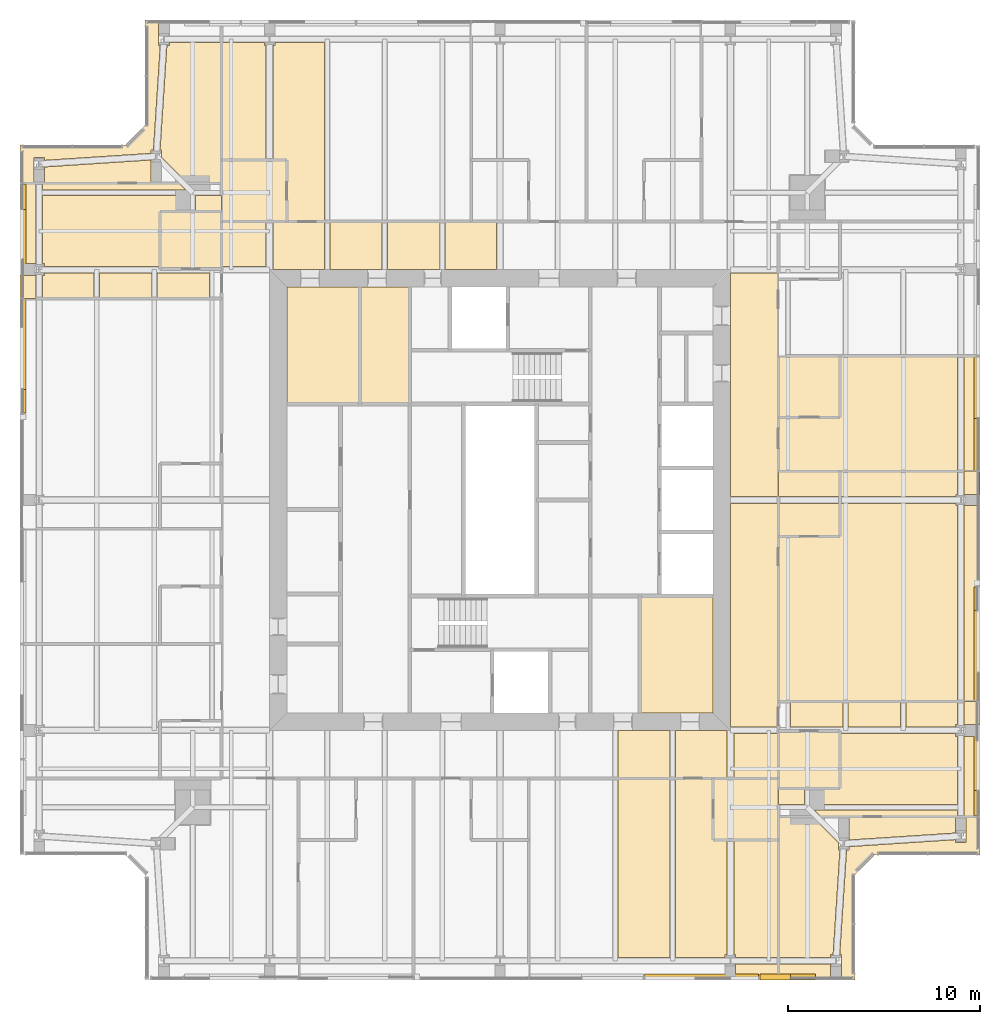
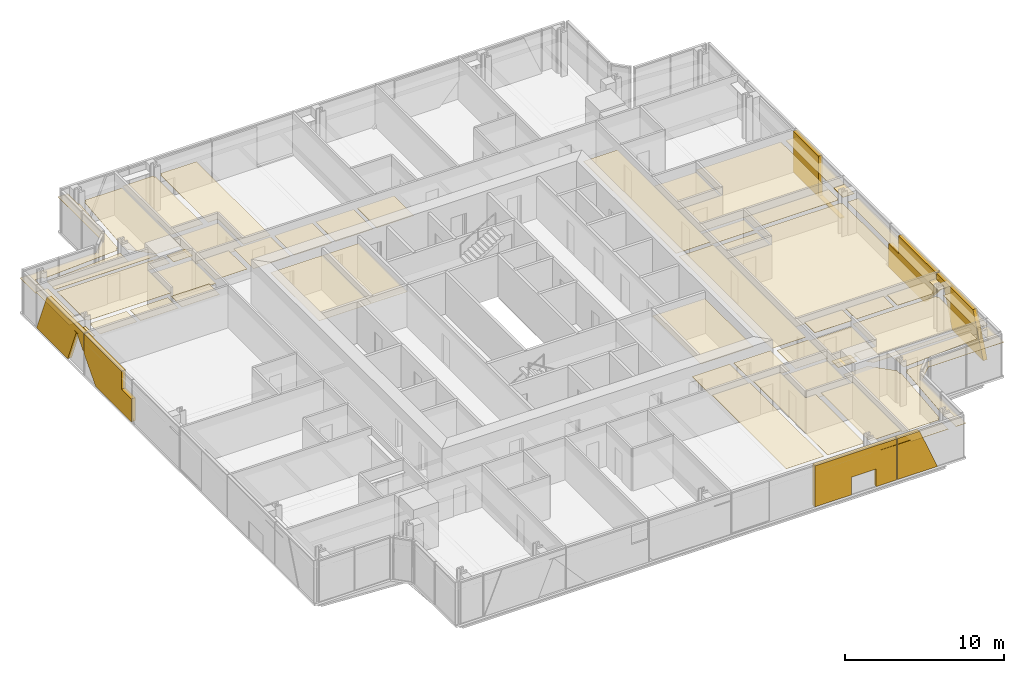
# One storey, part 17 of 18: 62 coverings.
"""IFC4 building model written with IfcOpenShell, lengths in metres."""

from ifc_helpers import new_model, si_unit, direction, frame, origin, place, context, subcontext, project, spatial, polyline, outline, extrude, material, layer, layer_set, type_object, element, save


model = new_model("IFC4")

# Units and contexts
model_context = context("Model", 3, precision=1e-05, world=origin(), true_north=direction((0.0, 1.0)))
body_context = subcontext(model_context, "Body", "Model", "MODEL_VIEW")
ifc_project = project(units=[si_unit("LENGTHUNIT", "METRE"), si_unit("AREAUNIT", "SQUARE_METRE"), si_unit("VOLUMEUNIT", "CUBIC_METRE"), si_unit("PLANEANGLEUNIT", "RADIAN"), si_unit("MASSUNIT", "GRAM", prefix="KILO")], contexts=[model_context])

# Site, building, storey
site_placement = place(None, origin())
site = spatial("IfcSite", under=ifc_project, at=site_placement, CompositionType="ELEMENT")
building_placement = place(site_placement, origin())
building = spatial("IfcBuilding", under=site, at=building_placement, Name="Fenwick Lantern Interchange", CompositionType="ELEMENT")
storey_placement = place(building_placement, frame((0.0, 0.0, 290.0)))
storey = spatial("IfcBuildingStorey", under=building, at=storey_placement, Name="L70", CompositionType="ELEMENT", Elevation=290.0)

# Coverings
ifc_material_1 = material(Name="Granite cladding, warm grey flamed finish, on aluminium carrier frame", Category="masonry")
ifc_layer_1 = layer(ifc_material_1, 0.300048828125)
ifc_layer_set_1 = layer_set([ifc_layer_1], Name="BRACE CASING PANEL 300")
covering_type_1 = type_object("IfcCoveringType", Name="BRACE CASING PANEL 300", PredefinedType="CLADDING", material=ifc_layer_set_1)
covering_1_placement = place(storey_placement, frame((6.60009765625, 0.10009765625, 0.0), z_axis=(0.0, 0.0, 1.0), x_axis=(1.0, 0.0, 0.0)))
element("IfcCovering", 1, at=covering_1_placement, inside=storey, type_object=covering_type_1, Name="Brace casing 01 bay 05a", PredefinedType="CLADDING", context=body_context, shape_type="SweptSolid", body=[
    extrude(outline(polyline([(25.929931640625, 0.0), (28.599853515625, 0.0), (28.599853515625, 1.348388671875), (30.385009765625, 1.348388671875), (30.385009765625, 0.0), (31.8701171875, 0.0), (31.8701171875, 3.14990234375), (25.929931640625, 3.14990234375), (25.929931640625, 0.0)])), frame((0.0, 0.2099609375, 0.0), z_axis=(0.0, -1.0, 0.0), x_axis=(1.0, 0.0, 0.0)), (0.0, 0.0, 1.0), 0.300048828125),
])
covering_2_placement = place(storey_placement, frame((6.60009765625, 0.10009765625, 0.0), z_axis=(0.0, 0.0, 1.0), x_axis=(1.0, 0.0, 0.0)))
element("IfcCovering", 2, at=covering_2_placement, inside=storey, type_object=covering_type_1, Name="Brace casing 01 bay 06a", PredefinedType="CLADDING", context=body_context, shape_type="SweptSolid", body=[
    extrude(outline(polyline([(31.929931640625, 0.0), (34.8232421875, 0.0), (33.53857421875, 3.14990234375), (31.929931640625, 3.14990234375), (31.929931640625, 0.0)])), frame((0.0, 0.2099609375, 0.0), z_axis=(0.0, -1.0, 0.0), x_axis=(1.0, 0.0, 0.0)), (0.0, 0.0, 1.0), 0.300048828125),
])
covering_3_placement = place(storey_placement, frame((49.89990234375, 6.60009765625, 0.0), z_axis=(0.0, 0.0, 1.0), x_axis=(0.0, 1.0, 0.0)))
element("IfcCovering", 3, at=covering_3_placement, inside=storey, type_object=covering_type_1, Name="Brace casing 05 bay 01a", PredefinedType="CLADDING", context=body_context, shape_type="SweptSolid", body=[
    extrude(outline(polyline([(1.9765625, 0.0), (5.864501953125, 0.0), (6.975830078125, 2.724365234375), (7.8701171875, 1.719482421875), (7.8701171875, 3.14990234375), (3.261474609375, 3.14990234375), (1.9765625, 0.0)])), frame((0.0, 0.2099609375, 0.0), z_axis=(0.0, -1.0, 0.0), x_axis=(1.0, 0.0, 0.0)), (0.0, 0.0, 1.0), 0.300048828125),
])
covering_4_placement = place(storey_placement, frame((49.89990234375, 6.60009765625, 0.0), z_axis=(0.0, 0.0, 1.0), x_axis=(0.0, 1.0, 0.0)))
element("IfcCovering", 4, at=covering_4_placement, inside=storey, type_object=covering_type_1, Name="Brace casing 05 bay 02a", PredefinedType="CLADDING", context=body_context, shape_type="SweptSolid", body=[
    extrude(outline(polyline([(9.400146484375, 0.0), (13.8701171875, 0.0), (13.8701171875, 1.7734375), (12.640869140625, 1.7734375), (12.640869140625, 3.14990234375), (7.929931640625, 3.14990234375), (7.929931640625, 1.652099609375), (9.400146484375, 0.0)])), frame((0.0, 0.2099609375, 0.0), z_axis=(0.0, -1.0, 0.0), x_axis=(1.0, 0.0, 0.0)), (0.0, 0.0, 1.0), 0.300048828125),
])
covering_5_placement = place(storey_placement, frame((49.89990234375, 6.60009765625, 0.0), z_axis=(0.0, 0.0, 1.0), x_axis=(0.0, 1.0, 0.0)))
element("IfcCovering", 5, at=covering_5_placement, inside=storey, type_object=covering_type_1, Name="Brace casing 05 bay 04a", PredefinedType="CLADDING", context=body_context, shape_type="SweptSolid", body=[
    extrude(outline(polyline([(19.929931640625, 0.0), (25.8701171875, 0.0), (25.8701171875, 3.14990234375), (22.655029296875, 3.14990234375), (22.655029296875, 0.083251953125), (19.929931640625, 0.083251953125), (19.929931640625, 0.0)])), frame((0.0, 0.2099609375, 0.0), z_axis=(0.0, -1.0, 0.0), x_axis=(1.0, 0.0, 0.0)), (0.0, 0.0, 1.0), 0.300048828125),
])
covering_6_placement = place(storey_placement, frame((0.10009765625, 43.39990234375, 0.0), z_axis=(0.0, 0.0, 1.0), x_axis=(0.0, -1.0, 0.0)))
element("IfcCovering", 6, at=covering_6_placement, inside=storey, type_object=covering_type_1, Name="Brace casing 13 bay 01a", PredefinedType="CLADDING", context=body_context, shape_type="SweptSolid", body=[
    extrude(outline(polyline([(1.9765625, 0.0), (5.864501953125, 0.0), (6.975830078125, 2.724365234375), (7.8701171875, 1.719482421875), (7.8701171875, 3.14990234375), (3.261474609375, 3.14990234375), (1.9765625, 0.0)])), frame((0.0, 0.2099609375, 0.0), z_axis=(0.0, -1.0, 0.0), x_axis=(1.0, 0.0, 0.0)), (0.0, 0.0, 1.0), 0.300048828125),
])
covering_7_placement = place(storey_placement, frame((0.10009765625, 43.39990234375, 0.0), z_axis=(0.0, 0.0, 1.0), x_axis=(0.0, -1.0, 0.0)))
element("IfcCovering", 7, at=covering_7_placement, inside=storey, type_object=covering_type_1, Name="Brace casing 13 bay 02a", PredefinedType="CLADDING", context=body_context, shape_type="SweptSolid", body=[
    extrude(outline(polyline([(9.400146484375, 0.0), (13.8701171875, 0.0), (13.8701171875, 1.7734375), (12.640869140625, 1.7734375), (12.640869140625, 3.14990234375), (7.929931640625, 3.14990234375), (7.929931640625, 1.652099609375), (9.400146484375, 0.0)])), frame((0.0, 0.2099609375, 0.0), z_axis=(0.0, -1.0, 0.0), x_axis=(1.0, 0.0, 0.0)), (0.0, 0.0, 1.0), 0.300048828125),
])
ifc_material_2 = material(Name="Moisture resistant gypsum board on suspended frame, painted")
ifc_layer_2 = layer(ifc_material_2, 0.014892578125)
ifc_layer_set_2 = layer_set([ifc_layer_2], Name="MOISTURE RESISTANT CEILING 15")
covering_type_2 = type_object("IfcCoveringType", Name="MOISTURE RESISTANT CEILING 15", PredefinedType="CEILING", material=ifc_layer_set_2)
covering_8_placement = place(storey_placement, frame((0.0, 0.0, 2.60009765625)))
element("IfcCovering", 8, at=covering_8_placement, inside=storey, type_object=covering_type_2, Name="Women's WC ceiling", PredefinedType="CEILING", context=body_context, shape_type="SweptSolid", body=[
    extrude(outline(polyline([(32.300048828125, 13.89990234375), (36.10009765625, 13.89990234375), (36.10009765625, 20.0), (32.300048828125, 20.0), (32.300048828125, 13.89990234375)])), origin(), (0.0, 0.0, 1.0), 0.014892578125),
])
covering_9_placement = place(storey_placement, frame((0.0, 0.0, 2.60009765625)))
element("IfcCovering", 9, at=covering_9_placement, inside=storey, type_object=covering_type_2, Name="Men's WC ceiling", PredefinedType="CEILING", context=body_context, shape_type="SweptSolid", body=[
    extrude(outline(polyline([(20.300048828125, 36.10009765625), (17.699951171875, 36.10009765625), (17.699951171875, 30.0), (20.300048828125, 30.0), (20.300048828125, 36.10009765625)])), origin(), (0.0, 0.0, 1.0), 0.014892578125),
])
covering_10_placement = place(storey_placement, frame((0.0, 0.0, 2.60009765625)))
element("IfcCovering", 10, at=covering_10_placement, inside=storey, type_object=covering_type_2, Name="Women's WC ceiling", PredefinedType="CEILING", context=body_context, shape_type="SweptSolid", body=[
    extrude(outline(polyline([(17.699951171875, 36.10009765625), (13.89990234375, 36.10009765625), (13.89990234375, 30.0), (17.699951171875, 30.0), (17.699951171875, 36.10009765625)])), origin(), (0.0, 0.0, 1.0), 0.014892578125),
])
covering_11_placement = place(storey_placement, frame((0.0, 0.0, 2.39990234375)))
element("IfcCovering", 11, at=covering_11_placement, inside=storey, type_object=covering_type_2, Name="En-suite 7003 ceiling", PredefinedType="CEILING", context=body_context, shape_type="SweptSolid", body=[
    extrude(outline(polyline([(36.10009765625, 7.300048828125), (39.5, 7.300048828125), (39.5, 10.5), (36.10009765625, 10.5), (36.10009765625, 7.300048828125)])), origin(), (0.0, 0.0, 1.0), 0.01513671875),
])
covering_12_placement = place(storey_placement, frame((0.0, 0.0, 2.39990234375)))
element("IfcCovering", 12, at=covering_12_placement, inside=storey, type_object=covering_type_2, Name="En-suite 7004 ceiling", PredefinedType="CEILING", context=body_context, shape_type="SweptSolid", body=[
    extrude(outline(polyline([(42.699951171875, 9.97509765625), (42.699951171875, 12.97509765625), (39.5, 12.97509765625), (39.5, 9.97509765625), (42.699951171875, 9.97509765625)])), origin(), (0.0, 0.0, 1.0), 0.01513671875),
])
covering_13_placement = place(storey_placement, frame((0.0, 0.0, 2.39990234375)))
element("IfcCovering", 13, at=covering_13_placement, inside=storey, type_object=covering_type_2, Name="En-suite 7005 ceiling", PredefinedType="CEILING", context=body_context, shape_type="SweptSolid", body=[
    extrude(outline(polyline([(42.699951171875, 23.10009765625), (42.699951171875, 24.824951171875), (39.5, 24.824951171875), (39.5, 23.10009765625), (42.699951171875, 23.10009765625)])), origin(), (0.0, 0.0, 1.0), 0.01513671875),
])
covering_14_placement = place(storey_placement, frame((0.0, 0.0, 2.39990234375)))
element("IfcCovering", 14, at=covering_14_placement, inside=storey, type_object=covering_type_2, Name="En-suite 7005 ceiling", PredefinedType="CEILING", context=body_context, shape_type="SweptSolid", body=[
    extrude(outline(polyline([(39.5, 26.5), (39.5, 25.175048828125), (42.699951171875, 25.175048828125), (42.699951171875, 26.5), (39.5, 26.5)])), origin(), (0.0, 0.0, 1.0), 0.01513671875),
])
covering_15_placement = place(storey_placement, frame((0.0, 0.0, 2.39990234375)))
element("IfcCovering", 15, at=covering_15_placement, inside=storey, type_object=covering_type_2, Name="En-suite 7006 ceiling", PredefinedType="CEILING", context=body_context, shape_type="SweptSolid", body=[
    extrude(outline(polyline([(42.699951171875, 29.300048828125), (42.699951171875, 32.5), (39.5, 32.5), (39.5, 29.300048828125), (42.699951171875, 29.300048828125)])), origin(), (0.0, 0.0, 1.0), 0.01513671875),
])
covering_16_placement = place(storey_placement, frame((0.0, 0.0, 2.39990234375)))
element("IfcCovering", 16, at=covering_16_placement, inside=storey, type_object=covering_type_2, Name="En-suite 7010 ceiling", PredefinedType="CEILING", context=body_context, shape_type="SweptSolid", body=[
    extrude(outline(polyline([(13.89990234375, 42.699951171875), (10.5, 42.699951171875), (10.5, 39.5), (13.89990234375, 39.5), (13.89990234375, 42.699951171875)])), origin(), (0.0, 0.0, 1.0), 0.01513671875),
])
covering_17_placement = place(storey_placement, frame((0.0, 0.0, 2.39990234375)))
element("IfcCovering", 17, at=covering_17_placement, inside=storey, type_object=covering_type_2, Name="En-suite 7011 ceiling", PredefinedType="CEILING", context=body_context, shape_type="SweptSolid", body=[
    extrude(outline(polyline([(7.300048828125, 40.02490234375), (7.300048828125, 37.02490234375), (10.5, 37.02490234375), (10.5, 40.02490234375), (7.300048828125, 40.02490234375)])), origin(), (0.0, 0.0, 1.0), 0.01513671875),
])
ifc_material_3 = material(Name="Gypsum plasterboard on suspended frame, painted")
ifc_layer_3 = layer(ifc_material_3, 0.014892578125)
ifc_layer_set_3 = layer_set([ifc_layer_3], Name="PLASTERBOARD CEILING 15")
covering_type_3 = type_object("IfcCoveringType", Name="PLASTERBOARD CEILING 15", PredefinedType="CEILING", material=ifc_layer_set_3)
covering_18_placement = place(storey_placement, frame((0.0, 0.0, 2.60009765625)))
element("IfcCovering", 18, at=covering_18_placement, inside=storey, type_object=covering_type_3, Name="Corridor ceiling", PredefinedType="CEILING", context=body_context, shape_type="SweptSolid", body=[
    extrude(outline(polyline([(39.5, 25.175048828125), (39.5, 36.833984375), (37.0, 36.833984375), (37.0, 25.175048828125), (39.5, 25.175048828125)])), origin(), (0.0, 0.0, 1.0), 0.014892578125),
])
covering_19_placement = place(storey_placement, frame((0.0, 0.0, 2.60009765625)))
element("IfcCovering", 19, at=covering_19_placement, inside=storey, type_object=covering_type_3, Name="Corridor ceiling", PredefinedType="CEILING", context=body_context, shape_type="SweptSolid", body=[
    extrude(outline(polyline([(39.5, 13.166015625), (39.5, 24.824951171875), (37.0, 24.824951171875), (37.0, 13.166015625), (39.5, 13.166015625)])), origin(), (0.0, 0.0, 1.0), 0.014892578125),
])
covering_20_placement = place(storey_placement, frame((0.0, 0.0, 2.60009765625)))
element("IfcCovering", 20, at=covering_20_placement, inside=storey, type_object=covering_type_3, Name="Corridor ceiling", PredefinedType="CEILING", context=body_context, shape_type="SweptSolid", body=[
    extrude(outline(polyline([(18.865478515625, 39.5), (16.134521484375, 39.5), (16.134521484375, 37.0), (18.865478515625, 37.0), (18.865478515625, 39.5)])), origin(), (0.0, 0.0, 1.0), 0.014892578125),
])
covering_21_placement = place(storey_placement, frame((0.0, 0.0, 2.60009765625)))
element("IfcCovering", 21, at=covering_21_placement, inside=storey, type_object=covering_type_3, Name="Corridor ceiling", PredefinedType="CEILING", context=body_context, shape_type="SweptSolid", body=[
    extrude(outline(polyline([(21.865478515625, 39.5), (19.134521484375, 39.5), (19.134521484375, 37.0), (21.865478515625, 37.0), (21.865478515625, 39.5)])), origin(), (0.0, 0.0, 1.0), 0.014892578125),
])
covering_22_placement = place(storey_placement, frame((0.0, 0.0, 2.60009765625)))
element("IfcCovering", 22, at=covering_22_placement, inside=storey, type_object=covering_type_3, Name="Corridor ceiling", PredefinedType="CEILING", context=body_context, shape_type="SweptSolid", body=[
    extrude(outline(polyline([(31.134521484375, 10.5), (33.865478515625, 10.5), (33.865478515625, 13.0), (31.134521484375, 13.0), (31.134521484375, 10.5)])), origin(), (0.0, 0.0, 1.0), 0.014892578125),
])
covering_23_placement = place(storey_placement, frame((0.0, 0.0, 2.60009765625)))
element("IfcCovering", 23, at=covering_23_placement, inside=storey, type_object=covering_type_3, Name="Corridor ceiling", PredefinedType="CEILING", context=body_context, shape_type="SweptSolid", body=[
    extrude(outline(polyline([(15.865478515625, 39.5), (13.183837890625, 39.5), (13.183837890625, 37.0), (15.865478515625, 37.0), (15.865478515625, 39.5)])), origin(), (0.0, 0.0, 1.0), 0.014892578125),
])
covering_24_placement = place(storey_placement, frame((0.0, 0.0, 2.60009765625)))
element("IfcCovering", 24, at=covering_24_placement, inside=storey, type_object=covering_type_3, Name="Corridor ceiling", PredefinedType="CEILING", context=body_context, shape_type="SweptSolid", body=[
    extrude(outline(polyline([(24.816162109375, 39.5), (22.134521484375, 39.5), (22.134521484375, 37.0), (24.816162109375, 37.0), (24.816162109375, 39.5)])), origin(), (0.0, 0.0, 1.0), 0.014892578125),
])
covering_25_placement = place(storey_placement, frame((0.0, 0.0, 2.60009765625)))
element("IfcCovering", 25, at=covering_25_placement, inside=storey, type_object=covering_type_3, Name="Corridor ceiling", PredefinedType="CEILING", context=body_context, shape_type="SweptSolid", body=[
    extrude(outline(polyline([(34.134521484375, 10.5), (36.816162109375, 10.5), (36.816162109375, 13.0), (34.134521484375, 13.0), (34.134521484375, 10.5)])), origin(), (0.0, 0.0, 1.0), 0.014892578125),
])
covering_26_placement = place(storey_placement, frame((0.0, 0.0, 2.60009765625)))
element("IfcCovering", 26, at=covering_26_placement, inside=storey, type_object=covering_type_3, Name="Corridor ceiling", PredefinedType="CEILING", context=body_context, shape_type="SweptSolid", body=[
    extrude(outline(polyline([(12.816162109375, 39.5), (10.5, 39.5), (10.5, 37.166015625), (12.816162109375, 37.166015625), (12.816162109375, 39.5)])), origin(), (0.0, 0.0, 1.0), 0.014892578125),
])
covering_27_placement = place(storey_placement, frame((0.0, 0.0, 2.60009765625)))
element("IfcCovering", 27, at=covering_27_placement, inside=storey, type_object=covering_type_3, Name="Corridor ceiling", PredefinedType="CEILING", context=body_context, shape_type="SweptSolid", body=[
    extrude(outline(polyline([(39.5, 10.5), (39.5, 12.833984375), (37.183837890625, 12.833984375), (37.183837890625, 10.5), (39.5, 10.5)])), origin(), (0.0, 0.0, 1.0), 0.014892578125),
])
covering_28_placement = place(storey_placement, frame((0.0, 0.0, 2.699951171875)))
element("IfcCovering", 28, at=covering_28_placement, inside=storey, type_object=covering_type_3, Name="Guest suite 7003 ceiling", PredefinedType="CEILING", context=body_context, shape_type="SweptSolid", body=[
    extrude(outline(polyline([(33.865478515625, 10.5), (31.134521484375, 10.5), (31.134521484375, 1.17236328125), (33.865478515625, 1.17236328125), (33.865478515625, 10.5)])), origin(), (0.0, 0.0, 1.0), 0.01513671875),
])
covering_29_placement = place(storey_placement, frame((0.0, 0.0, 2.699951171875)))
element("IfcCovering", 29, at=covering_29_placement, inside=storey, type_object=covering_type_3, Name="Guest suite 7003 ceiling", PredefinedType="CEILING", context=body_context, shape_type="SweptSolid", body=[
    extrude(outline(polyline([(36.72900390625, 1.3154296875), (36.816162109375, 1.3154296875), (36.816162109375, 7.300048828125), (36.10009765625, 7.300048828125), (36.10009765625, 10.5), (34.134521484375, 10.5), (34.134521484375, 1.17236328125), (36.72900390625, 1.17236328125), (36.72900390625, 1.3154296875)])), origin(), (0.0, 0.0, 1.0), 0.01513671875),
])
covering_30_placement = place(storey_placement, frame((0.0, 0.0, 2.699951171875)))
element("IfcCovering", 30, at=covering_30_placement, inside=storey, type_object=covering_type_3, Name="Guest suite 7003 ceiling", PredefinedType="CEILING", context=body_context, shape_type="SweptSolid", body=[
    extrude(outline(polyline([(37.27099609375, 1.3154296875), (37.27099609375, 1.17236328125), (39.5, 1.17236328125), (39.5, 7.300048828125), (37.183837890625, 7.300048828125), (37.183837890625, 1.3154296875), (37.27099609375, 1.3154296875)])), origin(), (0.0, 0.0, 1.0), 0.01513671875),
])
covering_31_placement = place(storey_placement, frame((0.0, 0.0, 2.699951171875)))
element("IfcCovering", 31, at=covering_31_placement, inside=storey, type_object=covering_type_3, Name="Guest suite 7003 ceiling", PredefinedType="CEILING", context=body_context, shape_type="SweptSolid", body=[
    extrude(outline(polyline([(37.27099609375, 0.82763671875), (37.27099609375, 0.0), (39.5, 0.0), (39.5, 0.82763671875), (37.27099609375, 0.82763671875)])), origin(), (0.0, 0.0, 1.0), 0.01513671875),
])
covering_32_placement = place(storey_placement, frame((0.0, 0.0, 2.57275390625)))
element("IfcCovering", 32, at=covering_32_placement, inside=storey, type_object=covering_type_3, Name="Guest suite 7004 sitting room ceiling", PredefinedType="CEILING", context=body_context, shape_type="SweptSolid", body=[
    extrude(outline(polyline([(42.22265625, 1.33447265625), (42.34912109375, 1.33447265625), (42.705322265625, 6.765625), (42.62255859375, 6.765625), (42.62255859375, 7.160400390625), (41.283203125, 8.5), (39.5, 8.5), (39.5, 1.17236328125), (42.22265625, 1.17236328125), (42.22265625, 1.33447265625)])), origin(), (0.0, 0.0, 1.0), 0.01513671875),
])
covering_33_placement = place(storey_placement, frame((0.0, 0.0, 2.57275390625)))
element("IfcCovering", 33, at=covering_33_placement, inside=storey, type_object=covering_type_3, Name="Guest suite 7004 sitting room ceiling", PredefinedType="CEILING", context=body_context, shape_type="SweptSolid", body=[
    extrude(outline(polyline([(42.77734375, 1.33447265625), (42.77734375, 0.0), (43.5, 0.0), (43.5, 5.5), (44.5, 6.5), (50.0, 6.5), (50.0, 8.5), (49.27734375, 8.5), (49.27734375, 7.16552734375), (48.72265625, 7.16552734375), (48.72265625, 7.30908203125), (43.17724609375, 6.9453125), (43.17724609375, 6.765625), (43.05078125, 6.765625), (42.69482421875, 1.33447265625), (42.77734375, 1.33447265625)])), origin(), (0.0, 0.0, 1.0), 0.01513671875),
])
covering_34_placement = place(storey_placement, frame((0.0, 0.0, 2.57275390625)))
element("IfcCovering", 34, at=covering_34_placement, inside=storey, type_object=covering_type_3, Name="Guest suite 7004 sitting room ceiling", PredefinedType="CEILING", context=body_context, shape_type="SweptSolid", body=[
    extrude(outline(polyline([(43.17724609375, 8.5), (43.17724609375, 7.291015625), (48.72265625, 7.654541015625), (48.72265625, 8.5), (43.17724609375, 8.5)])), origin(), (0.0, 0.0, 1.0), 0.01513671875),
])
covering_35_placement = place(storey_placement, frame((0.0, 0.0, 2.57275390625)))
element("IfcCovering", 35, at=covering_35_placement, inside=storey, type_object=covering_type_3, Name="Guest suite 7004 sitting room ceiling", PredefinedType="CEILING", context=body_context, shape_type="SweptSolid", body=[
    extrude(outline(polyline([(42.22265625, 0.0), (42.22265625, 0.82763671875), (39.5, 0.82763671875), (39.5, 0.0), (42.22265625, 0.0)])), origin(), (0.0, 0.0, 1.0), 0.01513671875),
])
covering_36_placement = place(storey_placement, frame((0.0, 0.0, 2.699951171875)))
element("IfcCovering", 36, at=covering_36_placement, inside=storey, type_object=covering_type_3, Name="Guest suite 7004 bedroom ceiling", PredefinedType="CEILING", context=body_context, shape_type="SweptSolid", body=[
    extrude(outline(polyline([(48.72900390625, 12.6845703125), (48.72900390625, 12.833984375), (42.699951171875, 12.833984375), (42.699951171875, 9.97509765625), (41.134521484375, 9.97509765625), (41.134521484375, 9.134521484375), (48.82763671875, 9.134521484375), (48.82763671875, 12.6845703125), (48.72900390625, 12.6845703125)])), origin(), (0.0, 0.0, 1.0), 0.01513671875),
])
covering_37_placement = place(storey_placement, frame((0.0, 0.0, 2.699951171875)))
element("IfcCovering", 37, at=covering_37_placement, inside=storey, type_object=covering_type_3, Name="Guest suite 7004 bedroom ceiling", PredefinedType="CEILING", context=body_context, shape_type="SweptSolid", body=[
    extrude(outline(polyline([(42.865478515625, 14.5), (40.134521484375, 14.5), (40.134521484375, 13.166015625), (42.865478515625, 13.166015625), (42.865478515625, 14.5)])), origin(), (0.0, 0.0, 1.0), 0.01513671875),
])
covering_38_placement = place(storey_placement, frame((0.0, 0.0, 2.699951171875)))
element("IfcCovering", 38, at=covering_38_placement, inside=storey, type_object=covering_type_3, Name="Guest suite 7004 bedroom ceiling", PredefinedType="CEILING", context=body_context, shape_type="SweptSolid", body=[
    extrude(outline(polyline([(45.865478515625, 14.5), (43.134521484375, 14.5), (43.134521484375, 13.166015625), (45.865478515625, 13.166015625), (45.865478515625, 14.5)])), origin(), (0.0, 0.0, 1.0), 0.01513671875),
])
covering_39_placement = place(storey_placement, frame((0.0, 0.0, 2.699951171875)))
element("IfcCovering", 39, at=covering_39_placement, inside=storey, type_object=covering_type_3, Name="Guest suite 7004 bedroom ceiling", PredefinedType="CEILING", context=body_context, shape_type="SweptSolid", body=[
    extrude(outline(polyline([(48.72900390625, 13.3154296875), (48.82763671875, 13.3154296875), (48.82763671875, 14.5), (46.134521484375, 14.5), (46.134521484375, 13.166015625), (48.72900390625, 13.166015625), (48.72900390625, 13.3154296875)])), origin(), (0.0, 0.0, 1.0), 0.01513671875),
])
covering_40_placement = place(storey_placement, frame((0.0, 0.0, 2.699951171875)))
element("IfcCovering", 40, at=covering_40_placement, inside=storey, type_object=covering_type_3, Name="Guest suite 7004 bedroom ceiling", PredefinedType="CEILING", context=body_context, shape_type="SweptSolid", body=[
    extrude(outline(polyline([(50.0, 12.6845703125), (49.17236328125, 12.6845703125), (49.17236328125, 8.5), (50.0, 8.5), (50.0, 12.6845703125)])), origin(), (0.0, 0.0, 1.0), 0.01513671875),
])
covering_41_placement = place(storey_placement, frame((0.0, 0.0, 2.699951171875)))
element("IfcCovering", 41, at=covering_41_placement, inside=storey, type_object=covering_type_3, Name="Guest suite 7004 bedroom ceiling", PredefinedType="CEILING", context=body_context, shape_type="SweptSolid", body=[
    extrude(outline(polyline([(41.716796875, 8.5), (48.82763671875, 8.5), (48.82763671875, 8.865478515625), (41.351318359375, 8.865478515625), (41.716796875, 8.5)])), origin(), (0.0, 0.0, 1.0), 0.01513671875),
])
covering_42_placement = place(storey_placement, frame((0.0, 0.0, 2.699951171875)))
element("IfcCovering", 42, at=covering_42_placement, inside=storey, type_object=covering_type_3, Name="Guest suite 7004 bedroom ceiling", PredefinedType="CEILING", context=body_context, shape_type="SweptSolid", body=[
    extrude(outline(polyline([(39.5, 9.97509765625), (39.5, 9.134521484375), (40.865478515625, 9.134521484375), (40.865478515625, 9.97509765625), (39.5, 9.97509765625)])), origin(), (0.0, 0.0, 1.0), 0.01513671875),
])
covering_43_placement = place(storey_placement, frame((0.0, 0.0, 2.699951171875)))
element("IfcCovering", 43, at=covering_43_placement, inside=storey, type_object=covering_type_3, Name="Guest suite 7004 bedroom ceiling", PredefinedType="CEILING", context=body_context, shape_type="SweptSolid", body=[
    extrude(outline(polyline([(50.0, 13.3154296875), (50.0, 14.5), (49.17236328125, 14.5), (49.17236328125, 13.3154296875), (50.0, 13.3154296875)])), origin(), (0.0, 0.0, 1.0), 0.01513671875),
])
covering_44_placement = place(storey_placement, frame((0.0, 0.0, 2.57275390625)))
element("IfcCovering", 44, at=covering_44_placement, inside=storey, type_object=covering_type_3, Name="Guest suite 7005 ceiling", PredefinedType="CEILING", context=body_context, shape_type="SweptSolid", body=[
    extrude(outline(polyline([(48.73779296875, 24.71240234375), (48.73779296875, 24.824951171875), (42.699951171875, 24.824951171875), (42.699951171875, 23.10009765625), (39.5, 23.10009765625), (39.5, 14.5), (48.82763671875, 14.5), (48.82763671875, 24.71240234375), (48.73779296875, 24.71240234375)])), origin(), (0.0, 0.0, 1.0), 0.01513671875),
])
covering_45_placement = place(storey_placement, frame((0.0, 0.0, 2.57275390625)))
element("IfcCovering", 45, at=covering_45_placement, inside=storey, type_object=covering_type_3, Name="Guest suite 7005 ceiling", PredefinedType="CEILING", context=body_context, shape_type="SweptSolid", body=[
    extrude(outline(polyline([(50.0, 24.71240234375), (49.17236328125, 24.71240234375), (49.17236328125, 14.5), (50.0, 14.5), (50.0, 24.71240234375)])), origin(), (0.0, 0.0, 1.0), 0.01513671875),
])
covering_46_placement = place(storey_placement, frame((0.0, 0.0, 2.57275390625)))
element("IfcCovering", 46, at=covering_46_placement, inside=storey, type_object=covering_type_3, Name="Guest suite 7005 ceiling", PredefinedType="CEILING", context=body_context, shape_type="SweptSolid", body=[
    extrude(outline(polyline([(48.73779296875, 25.28759765625), (48.82763671875, 25.28759765625), (48.82763671875, 26.5), (42.699951171875, 26.5), (42.699951171875, 25.175048828125), (48.73779296875, 25.175048828125), (48.73779296875, 25.28759765625)])), origin(), (0.0, 0.0, 1.0), 0.01513671875),
])
covering_47_placement = place(storey_placement, frame((0.0, 0.0, 2.57275390625)))
element("IfcCovering", 47, at=covering_47_placement, inside=storey, type_object=covering_type_3, Name="Guest suite 7005 ceiling", PredefinedType="CEILING", context=body_context, shape_type="SweptSolid", body=[
    extrude(outline(polyline([(49.17236328125, 25.28759765625), (50.0, 25.28759765625), (50.0, 26.5), (49.17236328125, 26.5), (49.17236328125, 25.28759765625)])), origin(), (0.0, 0.0, 1.0), 0.01513671875),
])
covering_48_placement = place(storey_placement, frame((0.0, 0.0, 2.57275390625)))
element("IfcCovering", 48, at=covering_48_placement, inside=storey, type_object=covering_type_3, Name="Guest room 7006 ceiling", PredefinedType="CEILING", context=body_context, shape_type="SweptSolid", body=[
    extrude(outline(polyline([(39.5, 26.5), (48.82763671875, 26.5), (48.82763671875, 32.5), (42.699951171875, 32.5), (42.699951171875, 29.300048828125), (39.5, 29.300048828125), (39.5, 26.5)])), origin(), (0.0, 0.0, 1.0), 0.01513671875),
])
covering_49_placement = place(storey_placement, frame((0.0, 0.0, 2.57275390625)))
element("IfcCovering", 49, at=covering_49_placement, inside=storey, type_object=covering_type_3, Name="Guest room 7006 ceiling", PredefinedType="CEILING", context=body_context, shape_type="SweptSolid", body=[
    extrude(outline(polyline([(50.0, 26.5), (50.0, 32.5), (49.17236328125, 32.5), (49.17236328125, 26.5), (50.0, 26.5)])), origin(), (0.0, 0.0, 1.0), 0.01513671875),
])
covering_50_placement = place(storey_placement, frame((0.0, 0.0, 2.699951171875)))
element("IfcCovering", 50, at=covering_50_placement, inside=storey, type_object=covering_type_3, Name="Guest suite 7010 ceiling", PredefinedType="CEILING", context=body_context, shape_type="SweptSolid", body=[
    extrude(outline(polyline([(13.27099609375, 48.6845703125), (13.183837890625, 48.6845703125), (13.183837890625, 42.699951171875), (13.89990234375, 42.699951171875), (13.89990234375, 39.5), (15.865478515625, 39.5), (15.865478515625, 48.82763671875), (13.27099609375, 48.82763671875), (13.27099609375, 48.6845703125)])), origin(), (0.0, 0.0, 1.0), 0.01513671875),
])
covering_51_placement = place(storey_placement, frame((0.0, 0.0, 2.699951171875)))
element("IfcCovering", 51, at=covering_51_placement, inside=storey, type_object=covering_type_3, Name="Guest suite 7010 ceiling", PredefinedType="CEILING", context=body_context, shape_type="SweptSolid", body=[
    extrude(outline(polyline([(12.72900390625, 48.6845703125), (12.72900390625, 48.82763671875), (10.5, 48.82763671875), (10.5, 42.699951171875), (12.816162109375, 42.699951171875), (12.816162109375, 48.6845703125), (12.72900390625, 48.6845703125)])), origin(), (0.0, 0.0, 1.0), 0.01513671875),
])
covering_52_placement = place(storey_placement, frame((0.0, 0.0, 2.57275390625)))
element("IfcCovering", 52, at=covering_52_placement, inside=storey, type_object=covering_type_3, Name="Guest suite 7011 sitting room ceiling", PredefinedType="CEILING", context=body_context, shape_type="SweptSolid", body=[
    extrude(outline(polyline([(7.77734375, 48.66552734375), (7.65087890625, 48.66552734375), (7.294677734375, 43.234375), (7.37744140625, 43.234375), (7.37744140625, 42.839599609375), (8.716796875, 41.5), (10.5, 41.5), (10.5, 48.82763671875), (7.77734375, 48.82763671875), (7.77734375, 48.66552734375)])), origin(), (0.0, 0.0, 1.0), 0.01513671875),
])
covering_53_placement = place(storey_placement, frame((0.0, 0.0, 2.57275390625)))
element("IfcCovering", 53, at=covering_53_placement, inside=storey, type_object=covering_type_3, Name="Guest suite 7011 sitting room ceiling", PredefinedType="CEILING", context=body_context, shape_type="SweptSolid", body=[
    extrude(outline(polyline([(7.22265625, 48.66552734375), (7.22265625, 50.0), (6.5, 50.0), (6.5, 44.5), (5.5, 43.5), (0.0, 43.5), (0.0, 41.5), (0.72265625, 41.5), (0.72265625, 42.83447265625), (1.27734375, 42.83447265625), (1.27734375, 42.69091796875), (6.82275390625, 43.0546875), (6.82275390625, 43.234375), (6.94921875, 43.234375), (7.30517578125, 48.66552734375), (7.22265625, 48.66552734375)])), origin(), (0.0, 0.0, 1.0), 0.01513671875),
])
covering_54_placement = place(storey_placement, frame((0.0, 0.0, 2.57275390625)))
element("IfcCovering", 54, at=covering_54_placement, inside=storey, type_object=covering_type_3, Name="Guest suite 7011 sitting room ceiling", PredefinedType="CEILING", context=body_context, shape_type="SweptSolid", body=[
    extrude(outline(polyline([(6.82275390625, 41.5), (6.82275390625, 42.708984375), (1.27734375, 42.345458984375), (1.27734375, 41.5), (6.82275390625, 41.5)])), origin(), (0.0, 0.0, 1.0), 0.01513671875),
])
covering_55_placement = place(storey_placement, frame((0.0, 0.0, 2.699951171875)))
element("IfcCovering", 55, at=covering_55_placement, inside=storey, type_object=covering_type_3, Name="Guest suite 7011 bedroom ceiling", PredefinedType="CEILING", context=body_context, shape_type="SweptSolid", body=[
    extrude(outline(polyline([(1.27099609375, 37.3154296875), (1.27099609375, 37.166015625), (7.300048828125, 37.166015625), (7.300048828125, 40.02490234375), (8.865478515625, 40.02490234375), (8.865478515625, 40.865478515625), (1.17236328125, 40.865478515625), (1.17236328125, 37.3154296875), (1.27099609375, 37.3154296875)])), origin(), (0.0, 0.0, 1.0), 0.01513671875),
])
covering_56_placement = place(storey_placement, frame((0.0, 0.0, 2.699951171875)))
element("IfcCovering", 56, at=covering_56_placement, inside=storey, type_object=covering_type_3, Name="Guest suite 7011 bedroom ceiling", PredefinedType="CEILING", context=body_context, shape_type="SweptSolid", body=[
    extrude(outline(polyline([(4.134521484375, 35.5), (6.865478515625, 35.5), (6.865478515625, 36.833984375), (4.134521484375, 36.833984375), (4.134521484375, 35.5)])), origin(), (0.0, 0.0, 1.0), 0.01513671875),
])
covering_57_placement = place(storey_placement, frame((0.0, 0.0, 2.699951171875)))
element("IfcCovering", 57, at=covering_57_placement, inside=storey, type_object=covering_type_3, Name="Guest suite 7011 bedroom ceiling", PredefinedType="CEILING", context=body_context, shape_type="SweptSolid", body=[
    extrude(outline(polyline([(7.134521484375, 35.5), (9.865478515625, 35.5), (9.865478515625, 36.833984375), (7.134521484375, 36.833984375), (7.134521484375, 35.5)])), origin(), (0.0, 0.0, 1.0), 0.01513671875),
])
covering_58_placement = place(storey_placement, frame((0.0, 0.0, 2.699951171875)))
element("IfcCovering", 58, at=covering_58_placement, inside=storey, type_object=covering_type_3, Name="Guest suite 7011 bedroom ceiling", PredefinedType="CEILING", context=body_context, shape_type="SweptSolid", body=[
    extrude(outline(polyline([(1.27099609375, 36.6845703125), (1.17236328125, 36.6845703125), (1.17236328125, 35.5), (3.865478515625, 35.5), (3.865478515625, 36.833984375), (1.27099609375, 36.833984375), (1.27099609375, 36.6845703125)])), origin(), (0.0, 0.0, 1.0), 0.01513671875),
])
covering_59_placement = place(storey_placement, frame((0.0, 0.0, 2.699951171875)))
element("IfcCovering", 59, at=covering_59_placement, inside=storey, type_object=covering_type_3, Name="Guest suite 7011 bedroom ceiling", PredefinedType="CEILING", context=body_context, shape_type="SweptSolid", body=[
    extrude(outline(polyline([(0.0, 37.3154296875), (0.82763671875, 37.3154296875), (0.82763671875, 41.5), (0.0, 41.5), (0.0, 37.3154296875)])), origin(), (0.0, 0.0, 1.0), 0.01513671875),
])
covering_60_placement = place(storey_placement, frame((0.0, 0.0, 2.699951171875)))
element("IfcCovering", 60, at=covering_60_placement, inside=storey, type_object=covering_type_3, Name="Guest suite 7011 bedroom ceiling", PredefinedType="CEILING", context=body_context, shape_type="SweptSolid", body=[
    extrude(outline(polyline([(8.283203125, 41.5), (1.17236328125, 41.5), (1.17236328125, 41.134521484375), (8.648681640625, 41.134521484375), (8.283203125, 41.5)])), origin(), (0.0, 0.0, 1.0), 0.01513671875),
])
covering_61_placement = place(storey_placement, frame((0.0, 0.0, 2.699951171875)))
element("IfcCovering", 61, at=covering_61_placement, inside=storey, type_object=covering_type_3, Name="Guest suite 7011 bedroom ceiling", PredefinedType="CEILING", context=body_context, shape_type="SweptSolid", body=[
    extrude(outline(polyline([(10.5, 40.02490234375), (10.5, 40.865478515625), (9.134521484375, 40.865478515625), (9.134521484375, 40.02490234375), (10.5, 40.02490234375)])), origin(), (0.0, 0.0, 1.0), 0.01513671875),
])
covering_62_placement = place(storey_placement, frame((0.0, 0.0, 2.699951171875)))
element("IfcCovering", 62, at=covering_62_placement, inside=storey, type_object=covering_type_3, Name="Guest suite 7011 bedroom ceiling", PredefinedType="CEILING", context=body_context, shape_type="SweptSolid", body=[
    extrude(outline(polyline([(0.0, 36.6845703125), (0.0, 35.5), (0.82763671875, 35.5), (0.82763671875, 36.6845703125), (0.0, 36.6845703125)])), origin(), (0.0, 0.0, 1.0), 0.01513671875),
])

save(model, "model.ifc")
